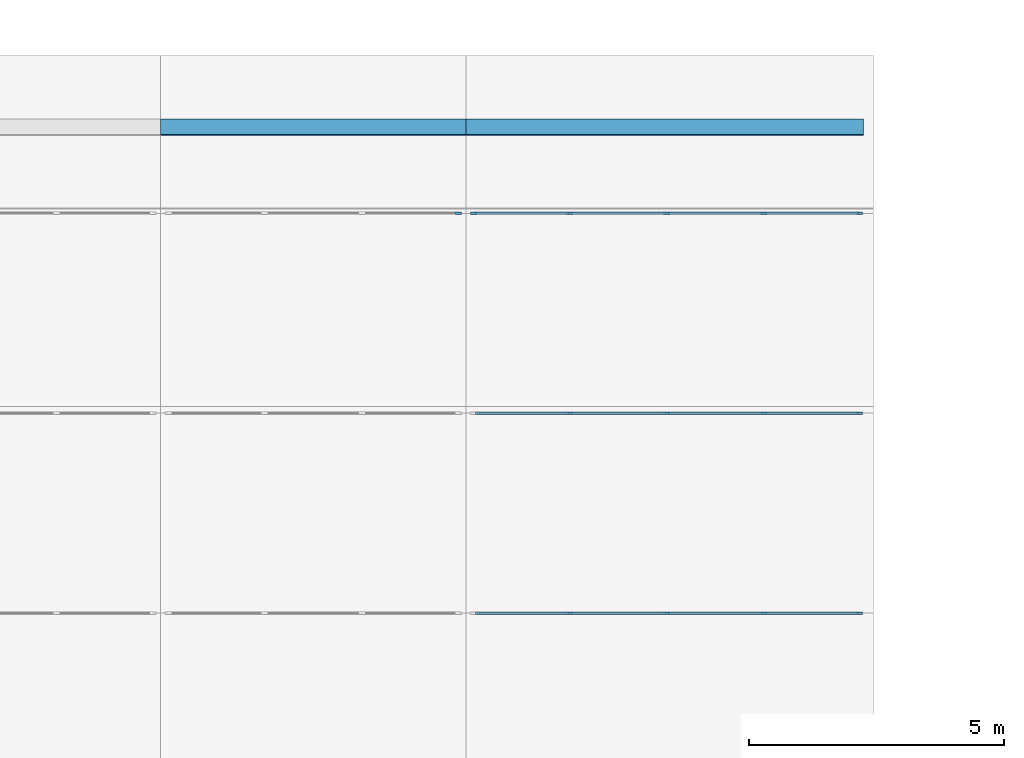
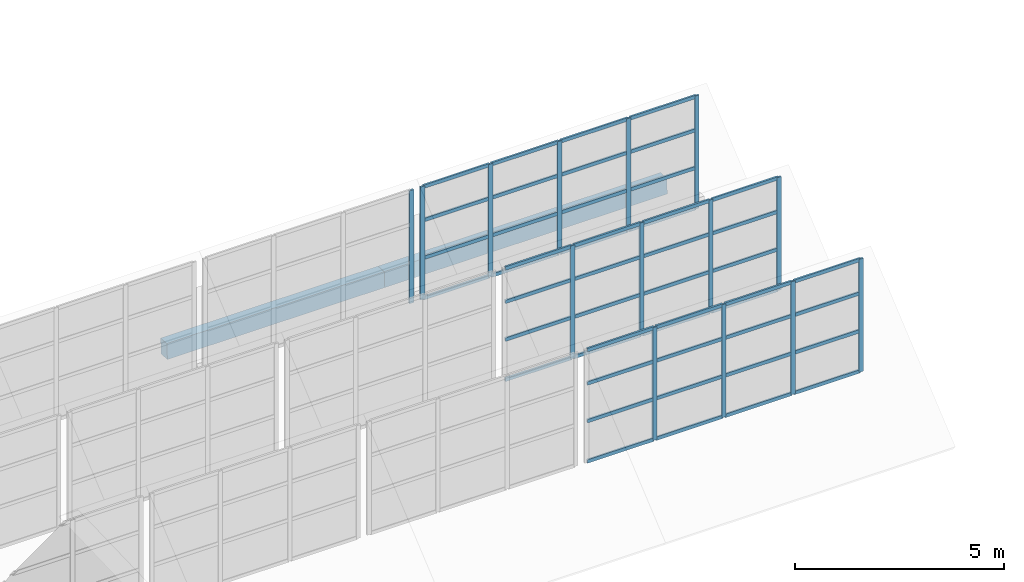
# One storey, part 33 of 122: 62 members, 2 beams, 4 elements without a shape of their own.
"""IFC4 building model written with IfcOpenShell, lengths in metres."""

from ifc_helpers import new_model, si_unit, direction, frame, origin, origin_2d, place, context, subcontext, project, spatial, rectangle, extrude, material, layer, layer_set, material_profile, profile_set, type_object, element, aggregate, save


model = new_model("IFC4")

# Units and contexts
model_context = context("Model", 3, precision=1e-05, world=origin(), true_north=direction((0.0, 1.0)))
body_context = subcontext(model_context, "Body", "Model", "MODEL_VIEW")
ifc_project = project(units=[si_unit("LENGTHUNIT", "METRE"), si_unit("AREAUNIT", "SQUARE_METRE"), si_unit("VOLUMEUNIT", "CUBIC_METRE"), si_unit("PLANEANGLEUNIT", "RADIAN"), si_unit("MASSUNIT", "GRAM", prefix="KILO")], contexts=[model_context])

# Site, building, storey
site_placement = place(None, origin())
site = spatial("IfcSite", under=ifc_project, at=site_placement, CompositionType="ELEMENT")
building_placement = place(site_placement, origin())
building = spatial("IfcBuilding", under=site, at=building_placement, Name="Ridgestep Commons", CompositionType="ELEMENT")
storey_placement = place(building_placement, frame((0.0, 0.0, 3.0)))
storey = spatial("IfcBuildingStorey", under=building, at=storey_placement, Name="L01", CompositionType="ELEMENT", Elevation=3.0)

# Beams
ifc_material_1 = material(Name="Precast concrete C40/50", Category="concrete")
ifc_material_profile_1 = material_profile(ifc_material_1, rectangle(XDim=0.300048828125, YDim=0.449951171875, at=origin_2d()), Name="Arcade beam 300 x 450")
ifc_profile_set_1 = profile_set([ifc_material_profile_1], Name="Precast concrete C40/50")
beam_type = type_object("IfcBeamType", Name="Arcade beam 300 x 450", PredefinedType="BEAM", material=ifc_profile_set_1)
beam_1_placement = place(storey_placement, frame((217.800048828125, 47.58642578125, 0.87939453125), z_axis=(1.0, 0.0, 0.0), x_axis=(0.0, 0.998204845466, -0.05989229072)))
element("IfcBeam", 1, at=beam_1_placement, inside=storey, type_object=beam_type, Name="Arcade beam", PredefinedType="BEAM", context=body_context, shape_type="SweptSolid", body=[
    extrude(rectangle(XDim=0.300048828125, YDim=0.449951171875, at=origin_2d()), origin(), (0.0, 0.0, 1.0), 6.0),
])
beam_2_placement = place(storey_placement, frame((223.800048828125, 47.58642578125, 0.87939453125), z_axis=(1.0, 0.0, 0.0), x_axis=(0.0, 0.998204845466, -0.05989229072)))
element("IfcBeam", 2, at=beam_2_placement, inside=storey, type_object=beam_type, Name="Arcade beam", PredefinedType="BEAM", context=body_context, shape_type="SweptSolid", body=[
    extrude(rectangle(XDim=0.300048828125, YDim=0.449951171875, at=origin_2d()), origin(), (0.0, 0.0, 1.0), 7.800048828125),
])

# Curtain wall, member
ifc_material_2 = material(Name="Aluminium and glass", Category="aluminium")
ifc_layer = layer(ifc_material_2, 0.14990234375)
ifc_layer_set = layer_set([ifc_layer], Name="Shop clerestory curtain wall")
curtain_wall_type = type_object("IfcCurtainWallType", Name="Shop clerestory curtain wall", PredefinedType="NOTDEFINED", material=ifc_layer_set)
curtain_wall_1_placement = place(storey_placement, origin())
curtain_wall_1 = element("IfcCurtainWall", 3, at=curtain_wall_1_placement, inside=storey, type_object=curtain_wall_type, Name="Shop clerestory curtain wall", PredefinedType="NOTDEFINED")
ifc_material_3 = material(Name="Aluminium", Category="aluminium")
ifc_material_profile_2 = material_profile(ifc_material_3, rectangle(XDim=0.050048828125, YDim=0.1201171875, at=origin_2d()), Name="Shop clerestory mullion 50 x 120")
ifc_profile_set_2 = profile_set([ifc_material_profile_2], Name="Aluminium")
member_type_1 = type_object("IfcMemberType", Name="Shop clerestory mullion 50 x 120", PredefinedType="MULLION", material=ifc_profile_set_2)
member_1_placement = place(storey_placement, frame((223.64990234375, 45.89990234375, 1.199951171875), z_axis=(0.0, 0.0, 1.0), x_axis=(0.0, 1.0, 0.0)))
member_1 = element("IfcMember", 4, at=member_1_placement, type_object=member_type_1, Name="CW5 mullion 4", PredefinedType="MULLION", context=body_context, shape_type="SweptSolid", body=[
    extrude(rectangle(XDim=0.050048828125, YDim=0.1201171875, at=origin_2d()), origin(), (0.0, 0.0, 1.0), 3.300048828125),
])
aggregate(curtain_wall_1, [member_1])

# Curtain wall, members
curtain_wall_2_placement = place(storey_placement, origin())
curtain_wall_2 = element("IfcCurtainWall", 5, at=curtain_wall_2_placement, inside=storey, type_object=curtain_wall_type, Name="Shop clerestory curtain wall", PredefinedType="NOTDEFINED")
member_2_placement = place(storey_placement, frame((225.831298828125, 38.050048828125, 1.199951171875), z_axis=(0.0, 0.0, 1.0), x_axis=(0.0, 1.0, 0.0)))
member_2 = element("IfcMember", 6, at=member_2_placement, type_object=member_type_1, Name="CW5 mullion 2", PredefinedType="MULLION", context=body_context, shape_type="SweptSolid", body=[
    extrude(rectangle(XDim=0.050048828125, YDim=0.1201171875, at=origin_2d()), origin(), (0.0, 0.0, 1.0), 3.300048828125),
])
member_3_placement = place(storey_placement, frame((227.737548828125, 38.050048828125, 1.199951171875), z_axis=(0.0, 0.0, 1.0), x_axis=(0.0, 1.0, 0.0)))
member_3 = element("IfcMember", 7, at=member_3_placement, type_object=member_type_1, Name="CW5 mullion 3", PredefinedType="MULLION", context=body_context, shape_type="SweptSolid", body=[
    extrude(rectangle(XDim=0.050048828125, YDim=0.1201171875, at=origin_2d()), origin(), (0.0, 0.0, 1.0), 3.300048828125),
])
member_4_placement = place(storey_placement, frame((229.643798828125, 38.050048828125, 1.199951171875), z_axis=(0.0, 0.0, 1.0), x_axis=(0.0, 1.0, 0.0)))
member_4 = element("IfcMember", 8, at=member_4_placement, type_object=member_type_1, Name="CW5 mullion 4", PredefinedType="MULLION", context=body_context, shape_type="SweptSolid", body=[
    extrude(rectangle(XDim=0.050048828125, YDim=0.1201171875, at=origin_2d()), origin(), (0.0, 0.0, 1.0), 3.300048828125),
])
member_5_placement = place(storey_placement, frame((231.52490234375, 38.050048828125, 1.199951171875), z_axis=(0.0, 0.0, 1.0), x_axis=(0.0, 1.0, 0.0)))
member_5 = element("IfcMember", 9, at=member_5_placement, type_object=member_type_1, Name="CW5 mullion 5", PredefinedType="MULLION", context=body_context, shape_type="SweptSolid", body=[
    extrude(rectangle(XDim=0.050048828125, YDim=0.1201171875, at=origin_2d()), origin(), (0.0, 0.0, 1.0), 3.300048828125),
])

curtain_wall_3_placement = place(storey_placement, origin())
curtain_wall_3 = element("IfcCurtainWall", 10, at=curtain_wall_3_placement, inside=storey, type_object=curtain_wall_type, Name="Shop clerestory curtain wall", PredefinedType="NOTDEFINED")
member_6_placement = place(storey_placement, frame((225.831298828125, 41.97509765625, 1.199951171875), z_axis=(0.0, 0.0, 1.0), x_axis=(0.0, 1.0, 0.0)))
member_6 = element("IfcMember", 11, at=member_6_placement, type_object=member_type_1, Name="CW5 mullion 2", PredefinedType="MULLION", context=body_context, shape_type="SweptSolid", body=[
    extrude(rectangle(XDim=0.050048828125, YDim=0.1201171875, at=origin_2d()), origin(), (0.0, 0.0, 1.0), 3.300048828125),
])
member_7_placement = place(storey_placement, frame((227.737548828125, 41.97509765625, 1.199951171875), z_axis=(0.0, 0.0, 1.0), x_axis=(0.0, 1.0, 0.0)))
member_7 = element("IfcMember", 12, at=member_7_placement, type_object=member_type_1, Name="CW5 mullion 3", PredefinedType="MULLION", context=body_context, shape_type="SweptSolid", body=[
    extrude(rectangle(XDim=0.050048828125, YDim=0.1201171875, at=origin_2d()), origin(), (0.0, 0.0, 1.0), 3.300048828125),
])
member_8_placement = place(storey_placement, frame((229.643798828125, 41.97509765625, 1.199951171875), z_axis=(0.0, 0.0, 1.0), x_axis=(0.0, 1.0, 0.0)))
member_8 = element("IfcMember", 13, at=member_8_placement, type_object=member_type_1, Name="CW5 mullion 4", PredefinedType="MULLION", context=body_context, shape_type="SweptSolid", body=[
    extrude(rectangle(XDim=0.050048828125, YDim=0.1201171875, at=origin_2d()), origin(), (0.0, 0.0, 1.0), 3.300048828125),
])
member_9_placement = place(storey_placement, frame((231.52490234375, 41.97509765625, 1.199951171875), z_axis=(0.0, 0.0, 1.0), x_axis=(0.0, 1.0, 0.0)))
member_9 = element("IfcMember", 14, at=member_9_placement, type_object=member_type_1, Name="CW5 mullion 5", PredefinedType="MULLION", context=body_context, shape_type="SweptSolid", body=[
    extrude(rectangle(XDim=0.050048828125, YDim=0.1201171875, at=origin_2d()), origin(), (0.0, 0.0, 1.0), 3.300048828125),
])

curtain_wall_4_placement = place(storey_placement, origin())
curtain_wall_4 = element("IfcCurtainWall", 15, at=curtain_wall_4_placement, inside=storey, type_object=curtain_wall_type, Name="Shop clerestory curtain wall", PredefinedType="NOTDEFINED")
member_10_placement = place(storey_placement, frame((223.949951171875, 45.89990234375, 1.199951171875), z_axis=(0.0, 0.0, 1.0), x_axis=(0.0, 1.0, 0.0)))
member_10 = element("IfcMember", 16, at=member_10_placement, type_object=member_type_1, Name="CW5 mullion 1", PredefinedType="MULLION", context=body_context, shape_type="SweptSolid", body=[
    extrude(rectangle(XDim=0.050048828125, YDim=0.1201171875, at=origin_2d()), origin(), (0.0, 0.0, 1.0), 3.300048828125),
])
member_11_placement = place(storey_placement, frame((225.831298828125, 45.89990234375, 1.199951171875), z_axis=(0.0, 0.0, 1.0), x_axis=(0.0, 1.0, 0.0)))
member_11 = element("IfcMember", 17, at=member_11_placement, type_object=member_type_1, Name="CW5 mullion 2", PredefinedType="MULLION", context=body_context, shape_type="SweptSolid", body=[
    extrude(rectangle(XDim=0.050048828125, YDim=0.1201171875, at=origin_2d()), origin(), (0.0, 0.0, 1.0), 3.300048828125),
])
member_12_placement = place(storey_placement, frame((227.737548828125, 45.89990234375, 1.199951171875), z_axis=(0.0, 0.0, 1.0), x_axis=(0.0, 1.0, 0.0)))
member_12 = element("IfcMember", 18, at=member_12_placement, type_object=member_type_1, Name="CW5 mullion 3", PredefinedType="MULLION", context=body_context, shape_type="SweptSolid", body=[
    extrude(rectangle(XDim=0.050048828125, YDim=0.1201171875, at=origin_2d()), origin(), (0.0, 0.0, 1.0), 3.300048828125),
])
member_13_placement = place(storey_placement, frame((229.643798828125, 45.89990234375, 1.199951171875), z_axis=(0.0, 0.0, 1.0), x_axis=(0.0, 1.0, 0.0)))
member_13 = element("IfcMember", 19, at=member_13_placement, type_object=member_type_1, Name="CW5 mullion 4", PredefinedType="MULLION", context=body_context, shape_type="SweptSolid", body=[
    extrude(rectangle(XDim=0.050048828125, YDim=0.1201171875, at=origin_2d()), origin(), (0.0, 0.0, 1.0), 3.300048828125),
])
member_14_placement = place(storey_placement, frame((231.52490234375, 45.89990234375, 1.199951171875), z_axis=(0.0, 0.0, 1.0), x_axis=(0.0, 1.0, 0.0)))
member_14 = element("IfcMember", 20, at=member_14_placement, type_object=member_type_1, Name="CW5 mullion 5", PredefinedType="MULLION", context=body_context, shape_type="SweptSolid", body=[
    extrude(rectangle(XDim=0.050048828125, YDim=0.1201171875, at=origin_2d()), origin(), (0.0, 0.0, 1.0), 3.300048828125),
])

# Member
ifc_material_4 = material(Name="Aluminium", Category="aluminium")
ifc_material_profile_3 = material_profile(ifc_material_4, rectangle(XDim=0.050048828125, YDim=0.10009765625, at=origin_2d()), Name="Shop clerestory transom 50 x 100")
ifc_profile_set_3 = profile_set([ifc_material_profile_3], Name="Aluminium")
member_type_2 = type_object("IfcMemberType", Name="Shop clerestory transom 50 x 100", PredefinedType="USERDEFINED", material=ifc_profile_set_3)
member_15_placement = place(storey_placement, frame((223.97509765625, 38.050048828125, 1.22509765625), z_axis=(1.0, 0.0, 0.0), x_axis=(0.0, 1.0, 0.0)))
member_15 = element("IfcMember", 21, at=member_15_placement, type_object=member_type_2, Name="CW5 transom 1.1", ObjectType="TRANSOM", PredefinedType="USERDEFINED", context=body_context, shape_type="SweptSolid", body=[
    extrude(rectangle(XDim=0.050048828125, YDim=0.10009765625, at=origin_2d()), origin(), (0.0, 0.0, 1.0), 1.8310546875),
])

member_16_placement = place(storey_placement, frame((223.97509765625, 38.050048828125, 2.39990234375), z_axis=(1.0, 0.0, 0.0), x_axis=(0.0, 1.0, 0.0)))
member_16 = element("IfcMember", 22, at=member_16_placement, type_object=member_type_2, Name="CW5 transom 1.2", ObjectType="TRANSOM", PredefinedType="USERDEFINED", context=body_context, shape_type="SweptSolid", body=[
    extrude(rectangle(XDim=0.050048828125, YDim=0.10009765625, at=origin_2d()), origin(), (0.0, 0.0, 1.0), 1.8310546875),
])

member_17_placement = place(storey_placement, frame((223.97509765625, 38.050048828125, 3.5), z_axis=(1.0, 0.0, 0.0), x_axis=(0.0, 1.0, 0.0)))
member_17 = element("IfcMember", 23, at=member_17_placement, type_object=member_type_2, Name="CW5 transom 1.3", ObjectType="TRANSOM", PredefinedType="USERDEFINED", context=body_context, shape_type="SweptSolid", body=[
    extrude(rectangle(XDim=0.050048828125, YDim=0.10009765625, at=origin_2d()), origin(), (0.0, 0.0, 1.0), 1.8310546875),
])

member_18_placement = place(storey_placement, frame((223.97509765625, 38.050048828125, 4.47509765625), z_axis=(1.0, 0.0, 0.0), x_axis=(0.0, 1.0, 0.0)))
member_18 = element("IfcMember", 24, at=member_18_placement, type_object=member_type_2, Name="CW5 transom 1.4", ObjectType="TRANSOM", PredefinedType="USERDEFINED", context=body_context, shape_type="SweptSolid", body=[
    extrude(rectangle(XDim=0.050048828125, YDim=0.10009765625, at=origin_2d()), origin(), (0.0, 0.0, 1.0), 1.8310546875),
])

member_19_placement = place(storey_placement, frame((225.856201171875, 38.050048828125, 1.22509765625), z_axis=(1.0, 0.0, 0.0), x_axis=(0.0, 1.0, 0.0)))
member_19 = element("IfcMember", 25, at=member_19_placement, type_object=member_type_2, Name="CW5 transom 2.1", ObjectType="TRANSOM", PredefinedType="USERDEFINED", context=body_context, shape_type="SweptSolid", body=[
    extrude(rectangle(XDim=0.050048828125, YDim=0.10009765625, at=origin_2d()), origin(), (0.0, 0.0, 1.0), 1.856201171875),
])

member_20_placement = place(storey_placement, frame((225.856201171875, 38.050048828125, 2.39990234375), z_axis=(1.0, 0.0, 0.0), x_axis=(0.0, 1.0, 0.0)))
member_20 = element("IfcMember", 26, at=member_20_placement, type_object=member_type_2, Name="CW5 transom 2.2", ObjectType="TRANSOM", PredefinedType="USERDEFINED", context=body_context, shape_type="SweptSolid", body=[
    extrude(rectangle(XDim=0.050048828125, YDim=0.10009765625, at=origin_2d()), origin(), (0.0, 0.0, 1.0), 1.856201171875),
])

member_21_placement = place(storey_placement, frame((225.856201171875, 38.050048828125, 3.5), z_axis=(1.0, 0.0, 0.0), x_axis=(0.0, 1.0, 0.0)))
member_21 = element("IfcMember", 27, at=member_21_placement, type_object=member_type_2, Name="CW5 transom 2.3", ObjectType="TRANSOM", PredefinedType="USERDEFINED", context=body_context, shape_type="SweptSolid", body=[
    extrude(rectangle(XDim=0.050048828125, YDim=0.10009765625, at=origin_2d()), origin(), (0.0, 0.0, 1.0), 1.856201171875),
])

member_22_placement = place(storey_placement, frame((225.856201171875, 38.050048828125, 4.47509765625), z_axis=(1.0, 0.0, 0.0), x_axis=(0.0, 1.0, 0.0)))
member_22 = element("IfcMember", 28, at=member_22_placement, type_object=member_type_2, Name="CW5 transom 2.4", ObjectType="TRANSOM", PredefinedType="USERDEFINED", context=body_context, shape_type="SweptSolid", body=[
    extrude(rectangle(XDim=0.050048828125, YDim=0.10009765625, at=origin_2d()), origin(), (0.0, 0.0, 1.0), 1.856201171875),
])

member_23_placement = place(storey_placement, frame((227.762451171875, 38.050048828125, 1.22509765625), z_axis=(1.0, 0.0, 0.0), x_axis=(0.0, 1.0, 0.0)))
member_23 = element("IfcMember", 29, at=member_23_placement, type_object=member_type_2, Name="CW5 transom 3.1", ObjectType="TRANSOM", PredefinedType="USERDEFINED", context=body_context, shape_type="SweptSolid", body=[
    extrude(rectangle(XDim=0.050048828125, YDim=0.10009765625, at=origin_2d()), origin(), (0.0, 0.0, 1.0), 1.856201171875),
])

member_24_placement = place(storey_placement, frame((227.762451171875, 38.050048828125, 2.39990234375), z_axis=(1.0, 0.0, 0.0), x_axis=(0.0, 1.0, 0.0)))
member_24 = element("IfcMember", 30, at=member_24_placement, type_object=member_type_2, Name="CW5 transom 3.2", ObjectType="TRANSOM", PredefinedType="USERDEFINED", context=body_context, shape_type="SweptSolid", body=[
    extrude(rectangle(XDim=0.050048828125, YDim=0.10009765625, at=origin_2d()), origin(), (0.0, 0.0, 1.0), 1.856201171875),
])

member_25_placement = place(storey_placement, frame((227.762451171875, 38.050048828125, 3.5), z_axis=(1.0, 0.0, 0.0), x_axis=(0.0, 1.0, 0.0)))
member_25 = element("IfcMember", 31, at=member_25_placement, type_object=member_type_2, Name="CW5 transom 3.3", ObjectType="TRANSOM", PredefinedType="USERDEFINED", context=body_context, shape_type="SweptSolid", body=[
    extrude(rectangle(XDim=0.050048828125, YDim=0.10009765625, at=origin_2d()), origin(), (0.0, 0.0, 1.0), 1.856201171875),
])

member_26_placement = place(storey_placement, frame((227.762451171875, 38.050048828125, 4.47509765625), z_axis=(1.0, 0.0, 0.0), x_axis=(0.0, 1.0, 0.0)))
member_26 = element("IfcMember", 32, at=member_26_placement, type_object=member_type_2, Name="CW5 transom 3.4", ObjectType="TRANSOM", PredefinedType="USERDEFINED", context=body_context, shape_type="SweptSolid", body=[
    extrude(rectangle(XDim=0.050048828125, YDim=0.10009765625, at=origin_2d()), origin(), (0.0, 0.0, 1.0), 1.856201171875),
])

member_27_placement = place(storey_placement, frame((229.668701171875, 38.050048828125, 1.22509765625), z_axis=(1.0, 0.0, 0.0), x_axis=(0.0, 1.0, 0.0)))
member_27 = element("IfcMember", 33, at=member_27_placement, type_object=member_type_2, Name="CW5 transom 4.1", ObjectType="TRANSOM", PredefinedType="USERDEFINED", context=body_context, shape_type="SweptSolid", body=[
    extrude(rectangle(XDim=0.050048828125, YDim=0.10009765625, at=origin_2d()), origin(), (0.0, 0.0, 1.0), 1.831298828125),
])

member_28_placement = place(storey_placement, frame((229.668701171875, 38.050048828125, 2.39990234375), z_axis=(1.0, 0.0, 0.0), x_axis=(0.0, 1.0, 0.0)))
member_28 = element("IfcMember", 34, at=member_28_placement, type_object=member_type_2, Name="CW5 transom 4.2", ObjectType="TRANSOM", PredefinedType="USERDEFINED", context=body_context, shape_type="SweptSolid", body=[
    extrude(rectangle(XDim=0.050048828125, YDim=0.10009765625, at=origin_2d()), origin(), (0.0, 0.0, 1.0), 1.831298828125),
])

member_29_placement = place(storey_placement, frame((229.668701171875, 38.050048828125, 3.5), z_axis=(1.0, 0.0, 0.0), x_axis=(0.0, 1.0, 0.0)))
member_29 = element("IfcMember", 35, at=member_29_placement, type_object=member_type_2, Name="CW5 transom 4.3", ObjectType="TRANSOM", PredefinedType="USERDEFINED", context=body_context, shape_type="SweptSolid", body=[
    extrude(rectangle(XDim=0.050048828125, YDim=0.10009765625, at=origin_2d()), origin(), (0.0, 0.0, 1.0), 1.831298828125),
])

member_30_placement = place(storey_placement, frame((229.668701171875, 38.050048828125, 4.47509765625), z_axis=(1.0, 0.0, 0.0), x_axis=(0.0, 1.0, 0.0)))
member_30 = element("IfcMember", 36, at=member_30_placement, type_object=member_type_2, Name="CW5 transom 4.4", ObjectType="TRANSOM", PredefinedType="USERDEFINED", context=body_context, shape_type="SweptSolid", body=[
    extrude(rectangle(XDim=0.050048828125, YDim=0.10009765625, at=origin_2d()), origin(), (0.0, 0.0, 1.0), 1.831298828125),
])

aggregate(curtain_wall_2, [member_2, member_3, member_4, member_5, member_15, member_16, member_17, member_18, member_19, member_20, member_21, member_22, member_23, member_24, member_25, member_26, member_27, member_28, member_29, member_30])

member_31_placement = place(storey_placement, frame((223.97509765625, 41.97509765625, 1.22509765625), z_axis=(1.0, 0.0, 0.0), x_axis=(0.0, 1.0, 0.0)))
member_31 = element("IfcMember", 37, at=member_31_placement, type_object=member_type_2, Name="CW5 transom 1.1", ObjectType="TRANSOM", PredefinedType="USERDEFINED", context=body_context, shape_type="SweptSolid", body=[
    extrude(rectangle(XDim=0.050048828125, YDim=0.10009765625, at=origin_2d()), origin(), (0.0, 0.0, 1.0), 1.8310546875),
])

member_32_placement = place(storey_placement, frame((223.97509765625, 41.97509765625, 2.39990234375), z_axis=(1.0, 0.0, 0.0), x_axis=(0.0, 1.0, 0.0)))
member_32 = element("IfcMember", 38, at=member_32_placement, type_object=member_type_2, Name="CW5 transom 1.2", ObjectType="TRANSOM", PredefinedType="USERDEFINED", context=body_context, shape_type="SweptSolid", body=[
    extrude(rectangle(XDim=0.050048828125, YDim=0.10009765625, at=origin_2d()), origin(), (0.0, 0.0, 1.0), 1.8310546875),
])

member_33_placement = place(storey_placement, frame((223.97509765625, 41.97509765625, 3.5), z_axis=(1.0, 0.0, 0.0), x_axis=(0.0, 1.0, 0.0)))
member_33 = element("IfcMember", 39, at=member_33_placement, type_object=member_type_2, Name="CW5 transom 1.3", ObjectType="TRANSOM", PredefinedType="USERDEFINED", context=body_context, shape_type="SweptSolid", body=[
    extrude(rectangle(XDim=0.050048828125, YDim=0.10009765625, at=origin_2d()), origin(), (0.0, 0.0, 1.0), 1.8310546875),
])

member_34_placement = place(storey_placement, frame((223.97509765625, 41.97509765625, 4.47509765625), z_axis=(1.0, 0.0, 0.0), x_axis=(0.0, 1.0, 0.0)))
member_34 = element("IfcMember", 40, at=member_34_placement, type_object=member_type_2, Name="CW5 transom 1.4", ObjectType="TRANSOM", PredefinedType="USERDEFINED", context=body_context, shape_type="SweptSolid", body=[
    extrude(rectangle(XDim=0.050048828125, YDim=0.10009765625, at=origin_2d()), origin(), (0.0, 0.0, 1.0), 1.8310546875),
])

member_35_placement = place(storey_placement, frame((225.856201171875, 41.97509765625, 1.22509765625), z_axis=(1.0, 0.0, 0.0), x_axis=(0.0, 1.0, 0.0)))
member_35 = element("IfcMember", 41, at=member_35_placement, type_object=member_type_2, Name="CW5 transom 2.1", ObjectType="TRANSOM", PredefinedType="USERDEFINED", context=body_context, shape_type="SweptSolid", body=[
    extrude(rectangle(XDim=0.050048828125, YDim=0.10009765625, at=origin_2d()), origin(), (0.0, 0.0, 1.0), 1.856201171875),
])

member_36_placement = place(storey_placement, frame((225.856201171875, 41.97509765625, 2.39990234375), z_axis=(1.0, 0.0, 0.0), x_axis=(0.0, 1.0, 0.0)))
member_36 = element("IfcMember", 42, at=member_36_placement, type_object=member_type_2, Name="CW5 transom 2.2", ObjectType="TRANSOM", PredefinedType="USERDEFINED", context=body_context, shape_type="SweptSolid", body=[
    extrude(rectangle(XDim=0.050048828125, YDim=0.10009765625, at=origin_2d()), origin(), (0.0, 0.0, 1.0), 1.856201171875),
])

member_37_placement = place(storey_placement, frame((225.856201171875, 41.97509765625, 3.5), z_axis=(1.0, 0.0, 0.0), x_axis=(0.0, 1.0, 0.0)))
member_37 = element("IfcMember", 43, at=member_37_placement, type_object=member_type_2, Name="CW5 transom 2.3", ObjectType="TRANSOM", PredefinedType="USERDEFINED", context=body_context, shape_type="SweptSolid", body=[
    extrude(rectangle(XDim=0.050048828125, YDim=0.10009765625, at=origin_2d()), origin(), (0.0, 0.0, 1.0), 1.856201171875),
])

member_38_placement = place(storey_placement, frame((225.856201171875, 41.97509765625, 4.47509765625), z_axis=(1.0, 0.0, 0.0), x_axis=(0.0, 1.0, 0.0)))
member_38 = element("IfcMember", 44, at=member_38_placement, type_object=member_type_2, Name="CW5 transom 2.4", ObjectType="TRANSOM", PredefinedType="USERDEFINED", context=body_context, shape_type="SweptSolid", body=[
    extrude(rectangle(XDim=0.050048828125, YDim=0.10009765625, at=origin_2d()), origin(), (0.0, 0.0, 1.0), 1.856201171875),
])

member_39_placement = place(storey_placement, frame((227.762451171875, 41.97509765625, 1.22509765625), z_axis=(1.0, 0.0, 0.0), x_axis=(0.0, 1.0, 0.0)))
member_39 = element("IfcMember", 45, at=member_39_placement, type_object=member_type_2, Name="CW5 transom 3.1", ObjectType="TRANSOM", PredefinedType="USERDEFINED", context=body_context, shape_type="SweptSolid", body=[
    extrude(rectangle(XDim=0.050048828125, YDim=0.10009765625, at=origin_2d()), origin(), (0.0, 0.0, 1.0), 1.856201171875),
])

member_40_placement = place(storey_placement, frame((227.762451171875, 41.97509765625, 2.39990234375), z_axis=(1.0, 0.0, 0.0), x_axis=(0.0, 1.0, 0.0)))
member_40 = element("IfcMember", 46, at=member_40_placement, type_object=member_type_2, Name="CW5 transom 3.2", ObjectType="TRANSOM", PredefinedType="USERDEFINED", context=body_context, shape_type="SweptSolid", body=[
    extrude(rectangle(XDim=0.050048828125, YDim=0.10009765625, at=origin_2d()), origin(), (0.0, 0.0, 1.0), 1.856201171875),
])

member_41_placement = place(storey_placement, frame((227.762451171875, 41.97509765625, 3.5), z_axis=(1.0, 0.0, 0.0), x_axis=(0.0, 1.0, 0.0)))
member_41 = element("IfcMember", 47, at=member_41_placement, type_object=member_type_2, Name="CW5 transom 3.3", ObjectType="TRANSOM", PredefinedType="USERDEFINED", context=body_context, shape_type="SweptSolid", body=[
    extrude(rectangle(XDim=0.050048828125, YDim=0.10009765625, at=origin_2d()), origin(), (0.0, 0.0, 1.0), 1.856201171875),
])

member_42_placement = place(storey_placement, frame((227.762451171875, 41.97509765625, 4.47509765625), z_axis=(1.0, 0.0, 0.0), x_axis=(0.0, 1.0, 0.0)))
member_42 = element("IfcMember", 48, at=member_42_placement, type_object=member_type_2, Name="CW5 transom 3.4", ObjectType="TRANSOM", PredefinedType="USERDEFINED", context=body_context, shape_type="SweptSolid", body=[
    extrude(rectangle(XDim=0.050048828125, YDim=0.10009765625, at=origin_2d()), origin(), (0.0, 0.0, 1.0), 1.856201171875),
])

member_43_placement = place(storey_placement, frame((229.668701171875, 41.97509765625, 1.22509765625), z_axis=(1.0, 0.0, 0.0), x_axis=(0.0, 1.0, 0.0)))
member_43 = element("IfcMember", 49, at=member_43_placement, type_object=member_type_2, Name="CW5 transom 4.1", ObjectType="TRANSOM", PredefinedType="USERDEFINED", context=body_context, shape_type="SweptSolid", body=[
    extrude(rectangle(XDim=0.050048828125, YDim=0.10009765625, at=origin_2d()), origin(), (0.0, 0.0, 1.0), 1.831298828125),
])

member_44_placement = place(storey_placement, frame((229.668701171875, 41.97509765625, 2.39990234375), z_axis=(1.0, 0.0, 0.0), x_axis=(0.0, 1.0, 0.0)))
member_44 = element("IfcMember", 50, at=member_44_placement, type_object=member_type_2, Name="CW5 transom 4.2", ObjectType="TRANSOM", PredefinedType="USERDEFINED", context=body_context, shape_type="SweptSolid", body=[
    extrude(rectangle(XDim=0.050048828125, YDim=0.10009765625, at=origin_2d()), origin(), (0.0, 0.0, 1.0), 1.831298828125),
])

member_45_placement = place(storey_placement, frame((229.668701171875, 41.97509765625, 3.5), z_axis=(1.0, 0.0, 0.0), x_axis=(0.0, 1.0, 0.0)))
member_45 = element("IfcMember", 51, at=member_45_placement, type_object=member_type_2, Name="CW5 transom 4.3", ObjectType="TRANSOM", PredefinedType="USERDEFINED", context=body_context, shape_type="SweptSolid", body=[
    extrude(rectangle(XDim=0.050048828125, YDim=0.10009765625, at=origin_2d()), origin(), (0.0, 0.0, 1.0), 1.831298828125),
])

member_46_placement = place(storey_placement, frame((229.668701171875, 41.97509765625, 4.47509765625), z_axis=(1.0, 0.0, 0.0), x_axis=(0.0, 1.0, 0.0)))
member_46 = element("IfcMember", 52, at=member_46_placement, type_object=member_type_2, Name="CW5 transom 4.4", ObjectType="TRANSOM", PredefinedType="USERDEFINED", context=body_context, shape_type="SweptSolid", body=[
    extrude(rectangle(XDim=0.050048828125, YDim=0.10009765625, at=origin_2d()), origin(), (0.0, 0.0, 1.0), 1.831298828125),
])

aggregate(curtain_wall_3, [member_6, member_7, member_8, member_9, member_31, member_32, member_33, member_34, member_35, member_36, member_37, member_38, member_39, member_40, member_41, member_42, member_43, member_44, member_45, member_46])

member_47_placement = place(storey_placement, frame((223.97509765625, 45.89990234375, 1.22509765625), z_axis=(1.0, 0.0, 0.0), x_axis=(0.0, 1.0, 0.0)))
member_47 = element("IfcMember", 53, at=member_47_placement, type_object=member_type_2, Name="CW5 transom 1.1", ObjectType="TRANSOM", PredefinedType="USERDEFINED", context=body_context, shape_type="SweptSolid", body=[
    extrude(rectangle(XDim=0.050048828125, YDim=0.10009765625, at=origin_2d()), origin(), (0.0, 0.0, 1.0), 1.8310546875),
])

member_48_placement = place(storey_placement, frame((223.97509765625, 45.89990234375, 2.39990234375), z_axis=(1.0, 0.0, 0.0), x_axis=(0.0, 1.0, 0.0)))
member_48 = element("IfcMember", 54, at=member_48_placement, type_object=member_type_2, Name="CW5 transom 1.2", ObjectType="TRANSOM", PredefinedType="USERDEFINED", context=body_context, shape_type="SweptSolid", body=[
    extrude(rectangle(XDim=0.050048828125, YDim=0.10009765625, at=origin_2d()), origin(), (0.0, 0.0, 1.0), 1.8310546875),
])

member_49_placement = place(storey_placement, frame((223.97509765625, 45.89990234375, 3.5), z_axis=(1.0, 0.0, 0.0), x_axis=(0.0, 1.0, 0.0)))
member_49 = element("IfcMember", 55, at=member_49_placement, type_object=member_type_2, Name="CW5 transom 1.3", ObjectType="TRANSOM", PredefinedType="USERDEFINED", context=body_context, shape_type="SweptSolid", body=[
    extrude(rectangle(XDim=0.050048828125, YDim=0.10009765625, at=origin_2d()), origin(), (0.0, 0.0, 1.0), 1.8310546875),
])

member_50_placement = place(storey_placement, frame((223.97509765625, 45.89990234375, 4.47509765625), z_axis=(1.0, 0.0, 0.0), x_axis=(0.0, 1.0, 0.0)))
member_50 = element("IfcMember", 56, at=member_50_placement, type_object=member_type_2, Name="CW5 transom 1.4", ObjectType="TRANSOM", PredefinedType="USERDEFINED", context=body_context, shape_type="SweptSolid", body=[
    extrude(rectangle(XDim=0.050048828125, YDim=0.10009765625, at=origin_2d()), origin(), (0.0, 0.0, 1.0), 1.8310546875),
])

member_51_placement = place(storey_placement, frame((225.856201171875, 45.89990234375, 1.22509765625), z_axis=(1.0, 0.0, 0.0), x_axis=(0.0, 1.0, 0.0)))
member_51 = element("IfcMember", 57, at=member_51_placement, type_object=member_type_2, Name="CW5 transom 2.1", ObjectType="TRANSOM", PredefinedType="USERDEFINED", context=body_context, shape_type="SweptSolid", body=[
    extrude(rectangle(XDim=0.050048828125, YDim=0.10009765625, at=origin_2d()), origin(), (0.0, 0.0, 1.0), 1.856201171875),
])

member_52_placement = place(storey_placement, frame((225.856201171875, 45.89990234375, 2.39990234375), z_axis=(1.0, 0.0, 0.0), x_axis=(0.0, 1.0, 0.0)))
member_52 = element("IfcMember", 58, at=member_52_placement, type_object=member_type_2, Name="CW5 transom 2.2", ObjectType="TRANSOM", PredefinedType="USERDEFINED", context=body_context, shape_type="SweptSolid", body=[
    extrude(rectangle(XDim=0.050048828125, YDim=0.10009765625, at=origin_2d()), origin(), (0.0, 0.0, 1.0), 1.856201171875),
])

member_53_placement = place(storey_placement, frame((225.856201171875, 45.89990234375, 3.5), z_axis=(1.0, 0.0, 0.0), x_axis=(0.0, 1.0, 0.0)))
member_53 = element("IfcMember", 59, at=member_53_placement, type_object=member_type_2, Name="CW5 transom 2.3", ObjectType="TRANSOM", PredefinedType="USERDEFINED", context=body_context, shape_type="SweptSolid", body=[
    extrude(rectangle(XDim=0.050048828125, YDim=0.10009765625, at=origin_2d()), origin(), (0.0, 0.0, 1.0), 1.856201171875),
])

member_54_placement = place(storey_placement, frame((225.856201171875, 45.89990234375, 4.47509765625), z_axis=(1.0, 0.0, 0.0), x_axis=(0.0, 1.0, 0.0)))
member_54 = element("IfcMember", 60, at=member_54_placement, type_object=member_type_2, Name="CW5 transom 2.4", ObjectType="TRANSOM", PredefinedType="USERDEFINED", context=body_context, shape_type="SweptSolid", body=[
    extrude(rectangle(XDim=0.050048828125, YDim=0.10009765625, at=origin_2d()), origin(), (0.0, 0.0, 1.0), 1.856201171875),
])

member_55_placement = place(storey_placement, frame((227.762451171875, 45.89990234375, 1.22509765625), z_axis=(1.0, 0.0, 0.0), x_axis=(0.0, 1.0, 0.0)))
member_55 = element("IfcMember", 61, at=member_55_placement, type_object=member_type_2, Name="CW5 transom 3.1", ObjectType="TRANSOM", PredefinedType="USERDEFINED", context=body_context, shape_type="SweptSolid", body=[
    extrude(rectangle(XDim=0.050048828125, YDim=0.10009765625, at=origin_2d()), origin(), (0.0, 0.0, 1.0), 1.856201171875),
])

member_56_placement = place(storey_placement, frame((227.762451171875, 45.89990234375, 2.39990234375), z_axis=(1.0, 0.0, 0.0), x_axis=(0.0, 1.0, 0.0)))
member_56 = element("IfcMember", 62, at=member_56_placement, type_object=member_type_2, Name="CW5 transom 3.2", ObjectType="TRANSOM", PredefinedType="USERDEFINED", context=body_context, shape_type="SweptSolid", body=[
    extrude(rectangle(XDim=0.050048828125, YDim=0.10009765625, at=origin_2d()), origin(), (0.0, 0.0, 1.0), 1.856201171875),
])

member_57_placement = place(storey_placement, frame((227.762451171875, 45.89990234375, 3.5), z_axis=(1.0, 0.0, 0.0), x_axis=(0.0, 1.0, 0.0)))
member_57 = element("IfcMember", 63, at=member_57_placement, type_object=member_type_2, Name="CW5 transom 3.3", ObjectType="TRANSOM", PredefinedType="USERDEFINED", context=body_context, shape_type="SweptSolid", body=[
    extrude(rectangle(XDim=0.050048828125, YDim=0.10009765625, at=origin_2d()), origin(), (0.0, 0.0, 1.0), 1.856201171875),
])

member_58_placement = place(storey_placement, frame((227.762451171875, 45.89990234375, 4.47509765625), z_axis=(1.0, 0.0, 0.0), x_axis=(0.0, 1.0, 0.0)))
member_58 = element("IfcMember", 64, at=member_58_placement, type_object=member_type_2, Name="CW5 transom 3.4", ObjectType="TRANSOM", PredefinedType="USERDEFINED", context=body_context, shape_type="SweptSolid", body=[
    extrude(rectangle(XDim=0.050048828125, YDim=0.10009765625, at=origin_2d()), origin(), (0.0, 0.0, 1.0), 1.856201171875),
])

member_59_placement = place(storey_placement, frame((229.668701171875, 45.89990234375, 1.22509765625), z_axis=(1.0, 0.0, 0.0), x_axis=(0.0, 1.0, 0.0)))
member_59 = element("IfcMember", 65, at=member_59_placement, type_object=member_type_2, Name="CW5 transom 4.1", ObjectType="TRANSOM", PredefinedType="USERDEFINED", context=body_context, shape_type="SweptSolid", body=[
    extrude(rectangle(XDim=0.050048828125, YDim=0.10009765625, at=origin_2d()), origin(), (0.0, 0.0, 1.0), 1.831298828125),
])

member_60_placement = place(storey_placement, frame((229.668701171875, 45.89990234375, 2.39990234375), z_axis=(1.0, 0.0, 0.0), x_axis=(0.0, 1.0, 0.0)))
member_60 = element("IfcMember", 66, at=member_60_placement, type_object=member_type_2, Name="CW5 transom 4.2", ObjectType="TRANSOM", PredefinedType="USERDEFINED", context=body_context, shape_type="SweptSolid", body=[
    extrude(rectangle(XDim=0.050048828125, YDim=0.10009765625, at=origin_2d()), origin(), (0.0, 0.0, 1.0), 1.831298828125),
])

member_61_placement = place(storey_placement, frame((229.668701171875, 45.89990234375, 3.5), z_axis=(1.0, 0.0, 0.0), x_axis=(0.0, 1.0, 0.0)))
member_61 = element("IfcMember", 67, at=member_61_placement, type_object=member_type_2, Name="CW5 transom 4.3", ObjectType="TRANSOM", PredefinedType="USERDEFINED", context=body_context, shape_type="SweptSolid", body=[
    extrude(rectangle(XDim=0.050048828125, YDim=0.10009765625, at=origin_2d()), origin(), (0.0, 0.0, 1.0), 1.831298828125),
])

member_62_placement = place(storey_placement, frame((229.668701171875, 45.89990234375, 4.47509765625), z_axis=(1.0, 0.0, 0.0), x_axis=(0.0, 1.0, 0.0)))
member_62 = element("IfcMember", 68, at=member_62_placement, type_object=member_type_2, Name="CW5 transom 4.4", ObjectType="TRANSOM", PredefinedType="USERDEFINED", context=body_context, shape_type="SweptSolid", body=[
    extrude(rectangle(XDim=0.050048828125, YDim=0.10009765625, at=origin_2d()), origin(), (0.0, 0.0, 1.0), 1.831298828125),
])

aggregate(curtain_wall_4, [member_10, member_11, member_12, member_13, member_14, member_47, member_48, member_49, member_50, member_51, member_52, member_53, member_54, member_55, member_56, member_57, member_58, member_59, member_60, member_61, member_62])

save(model, "model.ifc")
